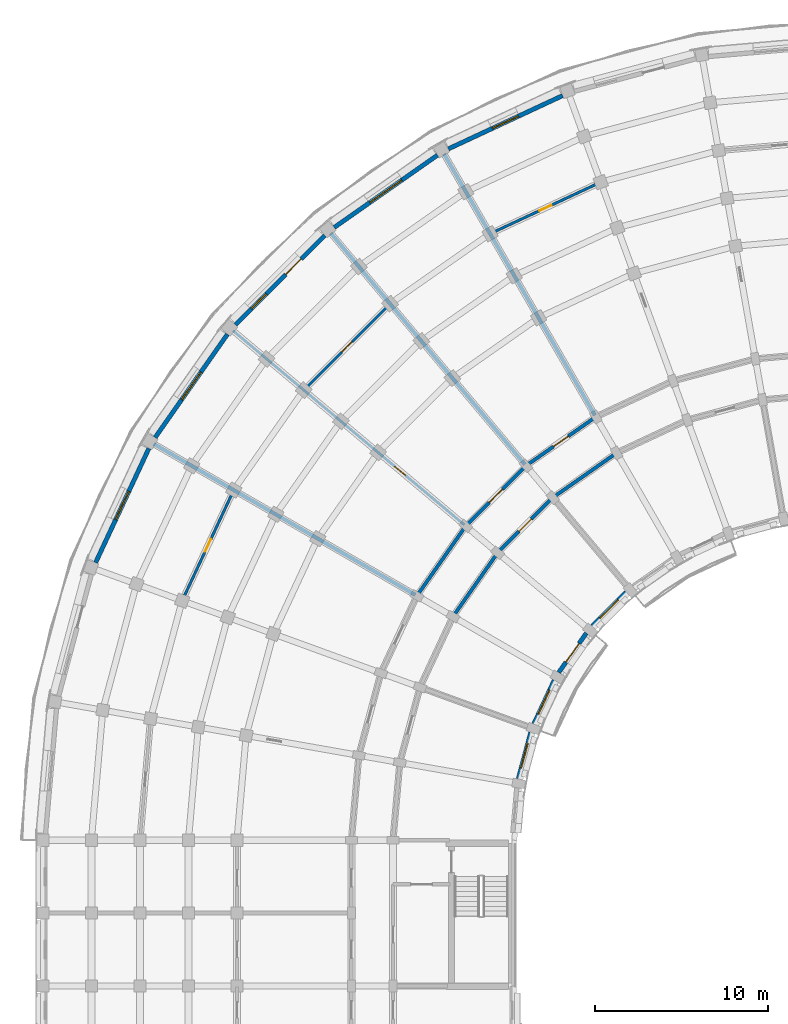
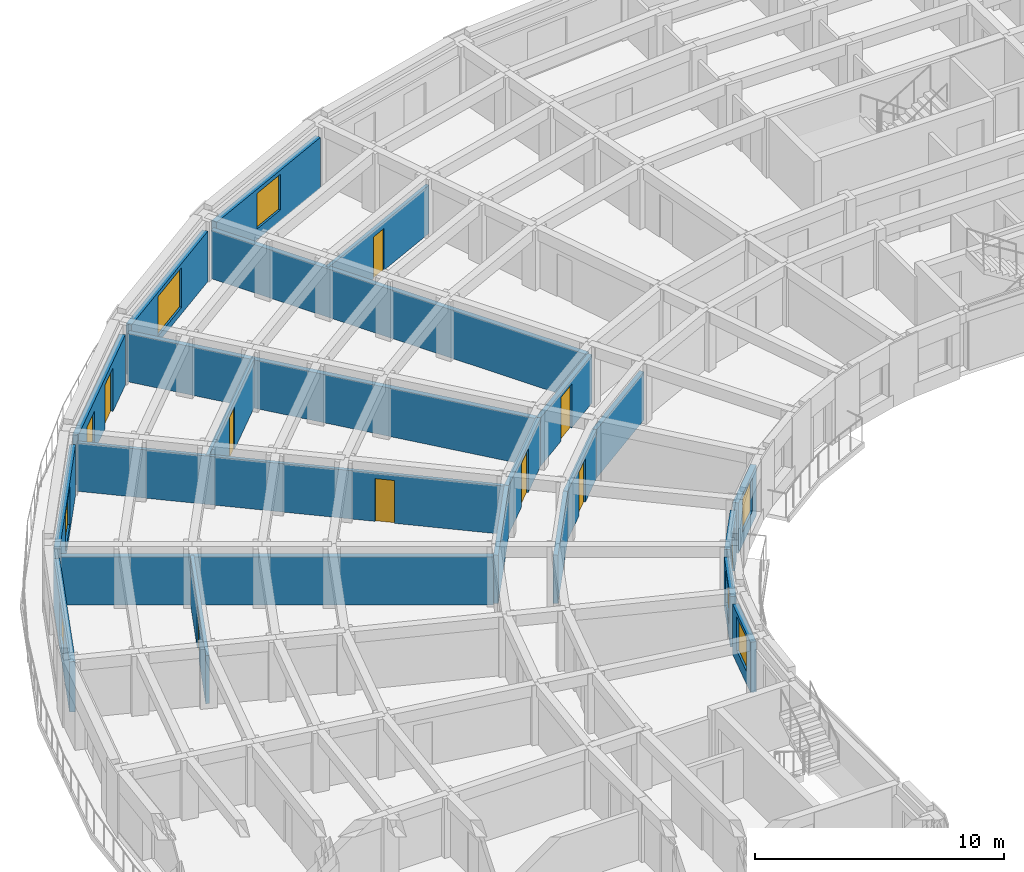
# One storey, part 26 of 57: 22 walls, 9 doors, 8 windows, 17 openings.
"""IFC4 building model written with IfcOpenShell, lengths in metres."""

from ifc_helpers import new_model, si_unit, direction, frame, frame_2d, origin, place, context, subcontext, project, spatial, rectangle, extrude, material, layer, layer_set, type_object, element, fill, save


model = new_model("IFC4")

# Units and contexts
model_context = context("Model", 3, precision=1e-05, world=origin(), true_north=direction((0.0, 1.0)))
body_context = subcontext(model_context, "Body", "Model", "MODEL_VIEW")
ifc_project = project(units=[si_unit("LENGTHUNIT", "METRE"), si_unit("AREAUNIT", "SQUARE_METRE"), si_unit("VOLUMEUNIT", "CUBIC_METRE"), si_unit("PLANEANGLEUNIT", "RADIAN"), si_unit("MASSUNIT", "GRAM", prefix="KILO")], contexts=[model_context])

# Site, building, storey
site_placement = place(None, origin())
site = spatial("IfcSite", under=ifc_project, at=site_placement, CompositionType="ELEMENT")
building_placement = place(site_placement, origin())
building = spatial("IfcBuilding", under=site, at=building_placement, Name="Kiranvali Square Residences", CompositionType="ELEMENT")
storey_placement = place(building_placement, frame((0.0, 0.0, 21.300048828125)))
storey = spatial("IfcBuildingStorey", under=building, at=storey_placement, Name="L06", CompositionType="ELEMENT", Elevation=21.300048828125)

# Wall
ifc_material_1 = material(Name="Autoclaved aerated concrete blockwork masonry", Category="masonry")
ifc_layer_1 = layer(ifc_material_1, 0.199951171875)
ifc_layer_set_1 = layer_set([ifc_layer_1], Name="Autoclaved aerated concrete blockwork masonry")
wall_type_1 = type_object("IfcWallType", Name="WL-COR-200", PredefinedType="STANDARD", material=ifc_layer_set_1)
wall_1_placement = place(storey_placement, frame((35.300048828125, 110.1435546875, 0.0), z_axis=(0.0, 0.0, 1.0), x_axis=(-0.819155404658, -0.573571637217, 0.0)))
element("IfcWall", 1, at=wall_1_placement, inside=storey, type_object=wall_type_1, Name="L06 architectural wall WL-L06-A-CCI-3", PredefinedType="STANDARD", context=body_context, shape_type="SweptSolid", body=[
    extrude(rectangle(XDim=4.497314453125, YDim=0.199951171875, at=frame_2d((2.24853515625, 0.0))), origin(), (0.0, 0.0, 1.0), 2.3720703125),
])

# Wall, opening, door
wall_2_placement = place(storey_placement, frame((34.10009765625, 112.221923828125, 0.0), z_axis=(0.0, 0.0, 1.0), x_axis=(-0.819140911474, -0.573592335331, 0.0)))
wall_2 = element("IfcWall", 2, at=wall_2_placement, inside=storey, type_object=wall_type_1, Name="L06 architectural wall WL-L06-A-CCO-3", PredefinedType="STANDARD", context=body_context, shape_type="SweptSolid", body=[
    extrude(rectangle(XDim=4.915771484375, YDim=0.199951171875, at=frame_2d((2.4580078125, 0.0))), origin(), (0.0, 0.0, 1.0), 2.3720703125),
])
opening_1_placement = place(wall_2_placement, frame((1.937744140625, 0.0, 0.0)))
opening_1 = element("IfcOpeningElement", 3, at=opening_1_placement, cuts=wall_2, Name="Opening FD-APT-60B", PredefinedType="OPENING", context=body_context, shape_type="SweptSolid", body=[
    extrude(rectangle(XDim=1.0400390625, YDim=2.14990234375, at=frame_2d((0.52001953125, 1.074951171875))), frame((0.0, 0.10986328125, 0.0), z_axis=(0.0, -1.0, 0.0), x_axis=(1.0, 0.0, 0.0)), (0.0, 0.0, 1.0), 0.219970703125),
])
ifc_material_2 = material(Name="Fire-rated acoustic hardwood and mineral-core door assembly", Category="wood")
door_type_1 = type_object("IfcDoorType", Name="DR-APT-1040", OperationType="NOTDEFINED", PredefinedType="DOOR", material=ifc_material_2)
door_1_placement = place(opening_1_placement, frame((1.0400390625, 0.0, 0.0), z_axis=(0.0, 0.0, 1.0), x_axis=(-1.0, 0.0, 0.0)))
door_1 = element("IfcDoor", 4, at=door_1_placement, inside=storey, type_object=door_type_1, Name="L06 door DR-L06-0430 (DR-APT-1040)", OperationType="SINGLE_SWING_RIGHT", OverallHeight=2.14990234375, OverallWidth=1.0400390625, PredefinedType="DOOR", context=body_context, shape_type="SweptSolid", body=[
    extrude(rectangle(XDim=1.0400390625, YDim=2.14990234375, at=frame_2d((0.52001953125, 1.074951171875))), frame((0.0, 0.02490234375, 0.0), z_axis=(0.0, -1.0, 0.0), x_axis=(1.0, 0.0, 0.0)), (0.0, 0.0, 1.0), 0.050048828125),
])
fill(opening_1, door_1)

wall_3_placement = place(storey_placement, frame((31.615966796875, 107.56396484375, 0.0), z_axis=(0.0, 0.0, 1.0), x_axis=(-0.707106781187, -0.707106781187, 0.0)))
wall_3 = element("IfcWall", 5, at=wall_3_placement, inside=storey, type_object=wall_type_1, Name="L06 architectural wall WL-L06-A-CCI-4", PredefinedType="STANDARD", context=body_context, shape_type="SweptSolid", body=[
    extrude(rectangle(XDim=4.4970703125, YDim=0.199951171875, at=frame_2d((2.24853515625, 0.0))), origin(), (0.0, 0.0, 1.0), 2.3720703125),
])
opening_2_placement = place(wall_3_placement, frame((1.74853515625, 0.0, 0.0)))
opening_2 = element("IfcOpeningElement", 6, at=opening_2_placement, cuts=wall_3, Name="Opening FD-APT-60", PredefinedType="OPENING", context=body_context, shape_type="SweptSolid", body=[
    extrude(rectangle(XDim=1.0, YDim=2.14990234375, at=frame_2d((0.5, 1.074951171875))), frame((0.0, 0.10986328125, 0.0), z_axis=(0.0, -1.0, 0.0), x_axis=(1.0, 0.0, 0.0)), (0.0, 0.0, 1.0), 0.219970703125),
])
door_type_2 = type_object("IfcDoorType", Name="DR-APT-1000", OperationType="NOTDEFINED", PredefinedType="DOOR", material=ifc_material_2)
door_2_placement = place(opening_2_placement, origin())
door_2 = element("IfcDoor", 7, at=door_2_placement, inside=storey, type_object=door_type_2, Name="L06 door DR-L06-0439 (DR-APT-1000)", OperationType="SINGLE_SWING_LEFT", OverallHeight=2.14990234375, OverallWidth=1.0, PredefinedType="DOOR", context=body_context, shape_type="SweptSolid", body=[
    extrude(rectangle(XDim=1.0, YDim=2.14990234375, at=frame_2d((0.5, 1.074951171875))), frame((0.0, 0.02490234375, 0.0), z_axis=(0.0, -1.0, 0.0), x_axis=(1.0, 0.0, 0.0)), (0.0, 0.0, 1.0), 0.050048828125),
])
fill(opening_2, door_2)

wall_4_placement = place(storey_placement, frame((30.073486328125, 109.40234375, 0.0), z_axis=(0.0, 0.0, 1.0), x_axis=(-0.707106781187, -0.707106781187, 0.0)))
wall_4 = element("IfcWall", 8, at=wall_4_placement, inside=storey, type_object=wall_type_1, Name="L06 architectural wall WL-L06-A-CCO-4", PredefinedType="STANDARD", context=body_context, shape_type="SweptSolid", body=[
    extrude(rectangle(XDim=4.91552734375, YDim=0.199951171875, at=frame_2d((2.457763671875, 0.0))), origin(), (0.0, 0.0, 1.0), 2.3720703125),
])
opening_3_placement = place(wall_4_placement, frame((1.917724609375, 0.0, 0.0)))
opening_3 = element("IfcOpeningElement", 9, at=opening_3_placement, cuts=wall_4, Name="Opening FD-APT-60C", PredefinedType="OPENING", context=body_context, shape_type="SweptSolid", body=[
    extrude(rectangle(XDim=1.080078125, YDim=2.14990234375, at=frame_2d((0.5400390625, 1.074951171875))), frame((0.0, 0.10986328125, 0.0), z_axis=(0.0, -1.0, 0.0), x_axis=(1.0, 0.0, 0.0)), (0.0, 0.0, 1.0), 0.219970703125),
])
door_type_3 = type_object("IfcDoorType", Name="DR-APT-1080", OperationType="NOTDEFINED", PredefinedType="DOOR", material=ifc_material_2)
door_3_placement = place(opening_3_placement, origin())
door_3 = element("IfcDoor", 10, at=door_3_placement, inside=storey, type_object=door_type_3, Name="L06 door DR-L06-0431 (DR-APT-1080)", OperationType="SINGLE_SWING_LEFT", OverallHeight=2.14990234375, OverallWidth=1.080078125, PredefinedType="DOOR", context=body_context, shape_type="SweptSolid", body=[
    extrude(rectangle(XDim=1.080078125, YDim=2.14990234375, at=frame_2d((0.5400390625, 1.074951171875))), frame((0.0, 0.02490234375, 0.0), z_axis=(0.0, -1.0, 0.0), x_axis=(1.0, 0.0, 0.0)), (0.0, 0.0, 1.0), 0.050048828125),
])
fill(opening_3, door_3)

# Walls
wall_5_placement = place(storey_placement, frame((28.43603515625, 104.384033203125, 0.0), z_axis=(0.0, 0.0, 1.0), x_axis=(-0.573571637217, -0.819155404658, 0.0)))
element("IfcWall", 11, at=wall_5_placement, inside=storey, type_object=wall_type_1, Name="L06 architectural wall WL-L06-A-CCI-5", PredefinedType="STANDARD", context=body_context, shape_type="SweptSolid", body=[
    extrude(rectangle(XDim=4.497314453125, YDim=0.199951171875, at=frame_2d((2.24853515625, 0.0))), origin(), (0.0, 0.0, 1.0), 2.3720703125),
])
wall_6_placement = place(storey_placement, frame((26.59765625, 105.926513671875, 0.0), z_axis=(0.0, 0.0, 1.0), x_axis=(-0.573592335331, -0.819140911474, 0.0)))
element("IfcWall", 12, at=wall_6_placement, inside=storey, type_object=wall_type_1, Name="L06 architectural wall WL-L06-A-CCO-5", PredefinedType="STANDARD", context=body_context, shape_type="SweptSolid", body=[
    extrude(rectangle(XDim=4.915771484375, YDim=0.199951171875, at=frame_2d((2.4580078125, 0.0))), origin(), (0.0, 0.0, 1.0), 2.3720703125),
])
ifc_layer_2 = layer(ifc_material_1, 0.219970703125)
ifc_layer_set_2 = layer_set([ifc_layer_2], Name="Autoclaved aerated concrete blockwork masonry")
wall_type_2 = type_object("IfcWallType", Name="WL-DEM-220", PredefinedType="STANDARD", material=ifc_layer_set_2)
for number, where, z_axis, x_axis, name in (
    (13, (34.050048828125, 112.30859375, 0.0), (0.0, 0.0, 1.0), (-0.499997843263, 0.866026648973, 0.0), "L06 architectural wall WL-L06-A-RADO-3"),
    (14, (30.009033203125, 109.47900390625, 0.0), (0.0, 0.0, 1.0), (-0.642784757967, 0.766046835987, 0.0), "L06 architectural wall WL-L06-A-RADO-4"),
    (15, (23.69140625, 101.949951171875, 0.0), (0.0, 0.0, 1.0), (-0.866026648973, 0.499997843263, 0.0), "L06 architectural wall WL-L06-A-RADO-6"),
):
    element("IfcWall", number, at=place(storey_placement, frame(where, z_axis=z_axis, x_axis=x_axis)), inside=storey, type_object=wall_type_2, Name=name, PredefinedType="STANDARD", context=body_context, shape_type="SweptSolid", body=[
        extrude(rectangle(XDim=17.419921875, YDim=0.219970703125, at=frame_2d((8.7099609375, 0.0))), origin(), (0.0, 0.0, 1.0), 2.3720703125),
    ])

# Wall, opening, window
ifc_material_3 = material(Name="Breathable lime-rendered clay brick masonry", Category="masonry")
ifc_layer_3 = layer(ifc_material_3, 0.25)
ifc_layer_set_3 = layer_set([ifc_layer_3], Name="Breathable lime-rendered clay brick masonry")
wall_type_3 = type_object("IfcWallType", Name="WL-EXT-250", PredefinedType="STANDARD", material=ifc_layer_set_3)
wall_7_placement = place(storey_placement, frame((32.17919921875, 130.753662109375, 0.0), z_axis=(0.0, 0.0, 1.0), x_axis=(-0.90630327107, -0.422627946127, 0.0)))
wall_7 = element("IfcWall", 16, at=wall_7_placement, inside=storey, type_object=wall_type_3, Name="L06 exterior wall A-L06-CRV-02", PredefinedType="STANDARD", context=body_context, shape_type="SweptSolid", body=[
    extrude(rectangle(XDim=7.2666015625, YDim=0.25, at=frame_2d((3.63330078125, 0.0))), origin(), (0.0, 0.0, 1.0), 2.471923828125),
])
opening_4_placement = place(wall_7_placement, frame((2.808349609375, 0.0, 0.52197265625)))
opening_4 = element("IfcOpeningElement", 17, at=opening_4_placement, cuts=wall_7, Name="Opening W-13", PredefinedType="OPENING", context=body_context, shape_type="SweptSolid", body=[
    extrude(rectangle(XDim=1.64990234375, YDim=1.75, at=frame_2d((0.824951171875, 0.875))), frame((0.0, 0.135009765625, 0.0), z_axis=(0.0, -1.0, 0.0), x_axis=(1.0, 0.0, 0.0)), (0.0, 0.0, 1.0), 0.27001953125),
])
ifc_material_4 = material(Name="Solar-control low-e double glazing", Category="glass")
window_type_1 = type_object("IfcWindowType", Name="WIN-RES-1650x1750", PartitioningType="DOUBLE_PANEL_VERTICAL", PredefinedType="WINDOW", material=ifc_material_4)
window_1_placement = place(opening_4_placement, origin())
window_1 = element("IfcWindow", 18, at=window_1_placement, inside=storey, type_object=window_type_1, Name="L06 recessed window A-L06-CRV-02", OverallHeight=1.75, OverallWidth=1.64990234375, PartitioningType="DOUBLE_PANEL_VERTICAL", PredefinedType="WINDOW", context=body_context, shape_type="SweptSolid", body=[
    extrude(rectangle(XDim=1.64990234375, YDim=1.75, at=frame_2d((0.824951171875, 0.875))), frame((0.0, 0.030029296875, 0.0), z_axis=(0.0, -1.0, 0.0), x_axis=(1.0, 0.0, 0.0)), (0.0, 0.0, 1.0), 0.06005859375),
])
fill(opening_4, window_1)

wall_8_placement = place(storey_placement, frame((24.9638671875, 127.319091796875, 0.0), z_axis=(0.0, 0.0, 1.0), x_axis=(-0.819159308599, -0.573566061701, 0.0)))
wall_8 = element("IfcWall", 19, at=wall_8_placement, inside=storey, type_object=wall_type_3, Name="L06 exterior wall A-L06-CRV-03", PredefinedType="STANDARD", context=body_context, shape_type="SweptSolid", body=[
    extrude(rectangle(XDim=7.266845703125, YDim=0.25, at=frame_2d((3.63330078125, 0.0))), origin(), (0.0, 0.0, 1.0), 2.471923828125),
])
opening_5_placement = place(wall_8_placement, frame((2.50830078125, 0.0, 0.322021484375)))
opening_5 = element("IfcOpeningElement", 20, at=opening_5_placement, cuts=wall_8, Name="Opening W-11", PredefinedType="OPENING", context=body_context, shape_type="SweptSolid", body=[
    extrude(rectangle(XDim=2.25, YDim=1.949951171875, at=frame_2d((1.125, 0.97509765625))), frame((0.0, 0.135009765625, 0.0), z_axis=(0.0, -1.0, 0.0), x_axis=(1.0, 0.0, 0.0)), (0.0, 0.0, 1.0), 0.27001953125),
])
window_type_2 = type_object("IfcWindowType", Name="WIN-RES-2250x1950", PartitioningType="TRIPLE_PANEL_VERTICAL", PredefinedType="WINDOW", material=ifc_material_4)
window_2_placement = place(opening_5_placement, origin())
window_2 = element("IfcWindow", 21, at=window_2_placement, inside=storey, type_object=window_type_2, Name="L06 recessed window A-L06-CRV-03", OverallHeight=1.949951171875, OverallWidth=2.25, PartitioningType="TRIPLE_PANEL_VERTICAL", PredefinedType="WINDOW", context=body_context, shape_type="SweptSolid", body=[
    extrude(rectangle(XDim=2.25, YDim=1.949951171875, at=frame_2d((1.125, 0.97509765625))), frame((0.0, 0.030029296875, 0.0), z_axis=(0.0, -1.0, 0.0), x_axis=(1.0, 0.0, 0.0)), (0.0, 0.0, 1.0), 0.06005859375),
])
fill(opening_5, window_2)

# Wall, openings, door, window
wall_9_placement = place(storey_placement, frame((18.454345703125, 122.683837890625, 0.0), z_axis=(0.0, 0.0, 1.0), x_axis=(-0.707106781187, -0.707106781187, 0.0)))
wall_9 = element("IfcWall", 22, at=wall_9_placement, inside=storey, type_object=wall_type_3, Name="L06 exterior wall A-L06-CRV-04", PredefinedType="STANDARD", context=body_context, shape_type="SweptSolid", body=[
    extrude(rectangle(XDim=7.2666015625, YDim=0.25, at=frame_2d((3.63330078125, 0.0))), origin(), (0.0, 0.0, 1.0), 2.471923828125),
])
opening_6_placement = place(wall_9_placement, frame((4.765625, 0.0, 0.471923828125)))
opening_6 = element("IfcOpeningElement", 23, at=opening_6_placement, cuts=wall_9, Name="Opening W-06", PredefinedType="OPENING", context=body_context, shape_type="SweptSolid", body=[
    extrude(rectangle(XDim=1.199951171875, YDim=1.5, at=frame_2d((0.60009765625, 0.75))), frame((0.0, 0.135009765625, 0.0), z_axis=(0.0, -1.0, 0.0), x_axis=(1.0, 0.0, 0.0)), (0.0, 0.0, 1.0), 0.27001953125),
])
opening_7_placement = place(wall_9_placement, frame((1.913330078125, 0.0, 0.0)))
opening_7 = element("IfcOpeningElement", 24, at=opening_7_placement, cuts=wall_9, Name="Opening ED-BAL-2", PredefinedType="OPENING", context=body_context, shape_type="SweptSolid", body=[
    extrude(rectangle(XDim=1.260009765625, YDim=2.14990234375, at=frame_2d((0.6298828125, 1.074951171875))), frame((0.0, 0.135009765625, 0.0), z_axis=(0.0, -1.0, 0.0), x_axis=(1.0, 0.0, 0.0)), (0.0, 0.0, 1.0), 0.27001953125),
])
ifc_material_5 = material(Name="Anodised bronze aluminium framing", Category="aluminium")
door_type_4 = type_object("IfcDoorType", Name="DR-BAL-1260", OperationType="NOTDEFINED", PredefinedType="DOOR", material=ifc_material_5)
door_4_placement = place(opening_7_placement, frame((1.260009765625, 0.0, 0.0), z_axis=(0.0, 0.0, 1.0), x_axis=(-1.0, 0.0, 0.0)))
door_4 = element("IfcDoor", 25, at=door_4_placement, inside=storey, type_object=door_type_4, Name="L06 balcony terrace door", OperationType="SINGLE_SWING_RIGHT", OverallHeight=2.14990234375, OverallWidth=1.260009765625, PredefinedType="DOOR", context=body_context, shape_type="SweptSolid", body=[
    extrude(rectangle(XDim=1.260009765625, YDim=2.14990234375, at=frame_2d((0.6298828125, 1.074951171875))), frame((0.0, 0.02490234375, 0.0), z_axis=(0.0, -1.0, 0.0), x_axis=(1.0, 0.0, 0.0)), (0.0, 0.0, 1.0), 0.050048828125),
])
fill(opening_7, door_4)
window_type_3 = type_object("IfcWindowType", Name="WIN-RES-1200x1500", PartitioningType="SINGLE_PANEL", PredefinedType="WINDOW", material=ifc_material_4)
window_3_placement = place(opening_6_placement, origin())
window_3 = element("IfcWindow", 26, at=window_3_placement, inside=storey, type_object=window_type_3, Name="L06 recessed window A-L06-CRV-04", OverallHeight=1.5, OverallWidth=1.199951171875, PartitioningType="SINGLE_PANEL", PredefinedType="WINDOW", context=body_context, shape_type="SweptSolid", body=[
    extrude(rectangle(XDim=1.199951171875, YDim=1.5, at=frame_2d((0.60009765625, 0.75))), frame((0.0, 0.030029296875, 0.0), z_axis=(0.0, -1.0, 0.0), x_axis=(1.0, 0.0, 0.0)), (0.0, 0.0, 1.0), 0.06005859375),
])
fill(opening_6, window_3)

# Wall, opening, window
wall_10_placement = place(storey_placement, frame((12.848876953125, 116.98876953125, 0.0), z_axis=(0.0, 0.0, 1.0), x_axis=(-0.573566061701, -0.819159308599, 0.0)))
wall_10 = element("IfcWall", 27, at=wall_10_placement, inside=storey, type_object=wall_type_3, Name="L06 exterior wall A-L06-CRV-05", PredefinedType="STANDARD", context=body_context, shape_type="SweptSolid", body=[
    extrude(rectangle(XDim=7.266845703125, YDim=0.25, at=frame_2d((3.63330078125, 0.0))), origin(), (0.0, 0.0, 1.0), 2.471923828125),
])
opening_8_placement = place(wall_10_placement, frame((2.658447265625, 0.0, 0.422119140625)))
opening_8 = element("IfcOpeningElement", 28, at=opening_8_placement, cuts=wall_10, Name="Opening W-12", PredefinedType="OPENING", context=body_context, shape_type="SweptSolid", body=[
    extrude(rectangle(XDim=1.949951171875, YDim=1.85009765625, at=frame_2d((0.97509765625, 0.925048828125))), frame((0.0, 0.135009765625, 0.0), z_axis=(0.0, -1.0, 0.0), x_axis=(1.0, 0.0, 0.0)), (0.0, 0.0, 1.0), 0.27001953125),
])
window_type_4 = type_object("IfcWindowType", Name="WIN-RES-1950x1850", PartitioningType="DOUBLE_PANEL_VERTICAL", PredefinedType="WINDOW", material=ifc_material_4)
window_4_placement = place(opening_8_placement, origin())
window_4 = element("IfcWindow", 29, at=window_4_placement, inside=storey, type_object=window_type_4, Name="L06 recessed window A-L06-CRV-05", OverallHeight=1.85009765625, OverallWidth=1.949951171875, PartitioningType="DOUBLE_PANEL_VERTICAL", PredefinedType="WINDOW", context=body_context, shape_type="SweptSolid", body=[
    extrude(rectangle(XDim=1.949951171875, YDim=1.85009765625, at=frame_2d((0.97509765625, 0.925048828125))), frame((0.0, 0.030029296875, 0.0), z_axis=(0.0, -1.0, 0.0), x_axis=(1.0, 0.0, 0.0)), (0.0, 0.0, 1.0), 0.06005859375),
])
fill(opening_8, window_4)

wall_11_placement = place(storey_placement, frame((8.3173828125, 110.406494140625, 0.0), z_axis=(0.0, 0.0, 1.0), x_axis=(-0.422627946127, -0.90630327107, 0.0)))
wall_11 = element("IfcWall", 30, at=wall_11_placement, inside=storey, type_object=wall_type_3, Name="L06 exterior wall A-L06-CRV-06", PredefinedType="STANDARD", context=body_context, shape_type="SweptSolid", body=[
    extrude(rectangle(XDim=7.2666015625, YDim=0.25, at=frame_2d((3.63330078125, 0.0))), origin(), (0.0, 0.0, 1.0), 2.471923828125),
])
opening_9_placement = place(wall_11_placement, frame((2.7333984375, 0.0, 0.6220703125)))
opening_9 = element("IfcOpeningElement", 31, at=opening_9_placement, cuts=wall_11, Name="Opening W-04", PredefinedType="OPENING", context=body_context, shape_type="SweptSolid", body=[
    extrude(rectangle(XDim=1.800048828125, YDim=1.64990234375, at=frame_2d((0.89990234375, 0.824951171875))), frame((0.0, 0.135009765625, 0.0), z_axis=(0.0, -1.0, 0.0), x_axis=(1.0, 0.0, 0.0)), (0.0, 0.0, 1.0), 0.27001953125),
])
window_type_5 = type_object("IfcWindowType", Name="WIN-RES-1800x1650", PartitioningType="DOUBLE_PANEL_VERTICAL", PredefinedType="WINDOW", material=ifc_material_4)
window_5_placement = place(opening_9_placement, origin())
window_5 = element("IfcWindow", 32, at=window_5_placement, inside=storey, type_object=window_type_5, Name="L06 recessed window A-L06-CRV-06", OverallHeight=1.64990234375, OverallWidth=1.800048828125, PartitioningType="DOUBLE_PANEL_VERTICAL", PredefinedType="WINDOW", context=body_context, shape_type="SweptSolid", body=[
    extrude(rectangle(XDim=1.800048828125, YDim=1.64990234375, at=frame_2d((0.89990234375, 0.824951171875))), frame((0.0, 0.030029296875, 0.0), z_axis=(0.0, -1.0, 0.0), x_axis=(1.0, 0.0, 0.0)), (0.0, 0.0, 1.0), 0.06005859375),
])
fill(opening_9, window_5)

wall_12_placement = place(storey_placement, frame((35.847900390625, 102.11083984375, 0.0), z_axis=(0.0, 0.0, 1.0), x_axis=(-0.707106781187, -0.707106781187, 0.0)))
wall_12 = element("IfcWall", 33, at=wall_12_placement, inside=storey, type_object=wall_type_3, Name="L06 exterior wall A-L06-GDN-04", PredefinedType="STANDARD", context=body_context, shape_type="SweptSolid", body=[
    extrude(rectangle(XDim=2.77001953125, YDim=0.25, at=frame_2d((1.385009765625, 0.0))), origin(), (0.0, 0.0, 1.0), 2.471923828125),
])
opening_10_placement = place(wall_12_placement, frame((0.635009765625, 0.0, 0.6220703125)))
opening_10 = element("IfcOpeningElement", 34, at=opening_10_placement, cuts=wall_12, Name="Opening W-05", PredefinedType="OPENING", context=body_context, shape_type="SweptSolid", body=[
    extrude(rectangle(XDim=1.5, YDim=1.64990234375, at=frame_2d((0.75, 0.824951171875))), frame((0.0, 0.135009765625, 0.0), z_axis=(0.0, -1.0, 0.0), x_axis=(1.0, 0.0, 0.0)), (0.0, 0.0, 1.0), 0.27001953125),
])
window_type_6 = type_object("IfcWindowType", Name="WIN-RES-1500x1650", PartitioningType="DOUBLE_PANEL_VERTICAL", PredefinedType="WINDOW", material=ifc_material_4)
window_6_placement = place(opening_10_placement, origin())
window_6 = element("IfcWindow", 35, at=window_6_placement, inside=storey, type_object=window_type_6, Name="L06 recessed window A-L06-GDN-04", OverallHeight=1.64990234375, OverallWidth=1.5, PartitioningType="DOUBLE_PANEL_VERTICAL", PredefinedType="WINDOW", context=body_context, shape_type="SweptSolid", body=[
    extrude(rectangle(XDim=1.5, YDim=1.64990234375, at=frame_2d((0.75, 0.824951171875))), frame((0.0, 0.030029296875, 0.0), z_axis=(0.0, -1.0, 0.0), x_axis=(1.0, 0.0, 0.0)), (0.0, 0.0, 1.0), 0.06005859375),
])
fill(opening_10, window_6)

# Wall, opening, door
wall_13_placement = place(storey_placement, frame((33.550537109375, 99.748291015625, 0.0), z_axis=(0.0, 0.0, 1.0), x_axis=(-0.573633885053, -0.819111815273, 0.0)))
wall_13 = element("IfcWall", 36, at=wall_13_placement, inside=storey, type_object=wall_type_3, Name="L06 exterior wall A-L06-GDN-05", PredefinedType="STANDARD", context=body_context, shape_type="SweptSolid", body=[
    extrude(rectangle(XDim=2.769775390625, YDim=0.25, at=frame_2d((1.384765625, 0.0))), origin(), (0.0, 0.0, 1.0), 2.471923828125),
])
opening_11_placement = place(wall_13_placement, frame((0.724853515625, 0.0, 0.0)))
opening_11 = element("IfcOpeningElement", 37, at=opening_11_placement, cuts=wall_13, Name="Opening ED-BAL-3", PredefinedType="OPENING", context=body_context, shape_type="SweptSolid", body=[
    extrude(rectangle(XDim=1.320068359375, YDim=2.14990234375, at=frame_2d((0.66015625, 1.074951171875))), frame((0.0, 0.135009765625, 0.0), z_axis=(0.0, -1.0, 0.0), x_axis=(1.0, 0.0, 0.0)), (0.0, 0.0, 1.0), 0.27001953125),
])
door_type_5 = type_object("IfcDoorType", Name="DR-BAL-1320", OperationType="NOTDEFINED", PredefinedType="DOOR", material=ifc_material_5)
door_5_placement = place(opening_11_placement, origin())
door_5 = element("IfcDoor", 38, at=door_5_placement, inside=storey, type_object=door_type_5, Name="L06 balcony terrace door", OperationType="SINGLE_SWING_LEFT", OverallHeight=2.14990234375, OverallWidth=1.320068359375, PredefinedType="DOOR", context=body_context, shape_type="SweptSolid", body=[
    extrude(rectangle(XDim=1.320068359375, YDim=2.14990234375, at=frame_2d((0.66015625, 1.074951171875))), frame((0.0, 0.02490234375, 0.0), z_axis=(0.0, -1.0, 0.0), x_axis=(1.0, 0.0, 0.0)), (0.0, 0.0, 1.0), 0.050048828125),
])
fill(opening_11, door_5)

# Wall, opening, window
wall_14_placement = place(storey_placement, frame((31.6982421875, 97.02294921875, 0.0), z_axis=(0.0, 0.0, 1.0), x_axis=(-0.422649007088, -0.906293449611, 0.0)))
wall_14 = element("IfcWall", 39, at=wall_14_placement, inside=storey, type_object=wall_type_3, Name="L06 exterior wall A-L06-GDN-06", PredefinedType="STANDARD", context=body_context, shape_type="SweptSolid", body=[
    extrude(rectangle(XDim=2.769775390625, YDim=0.25, at=frame_2d((1.384765625, 0.0))), origin(), (0.0, 0.0, 1.0), 2.471923828125),
])
opening_12_placement = place(wall_14_placement, frame((0.60986328125, 0.0, 0.672119140625)))
opening_12 = element("IfcOpeningElement", 40, at=opening_12_placement, cuts=wall_14, Name="Opening W-18", PredefinedType="OPENING", context=body_context, shape_type="SweptSolid", body=[
    extrude(rectangle(XDim=1.550048828125, YDim=1.60009765625, at=frame_2d((0.77490234375, 0.800048828125))), frame((0.0, 0.135009765625, 0.0), z_axis=(0.0, -1.0, 0.0), x_axis=(1.0, 0.0, 0.0)), (0.0, 0.0, 1.0), 0.27001953125),
])
window_type_7 = type_object("IfcWindowType", Name="WIN-GDN-1550x1600", PartitioningType="DOUBLE_PANEL_VERTICAL", PredefinedType="WINDOW", material=ifc_material_4)
window_7_placement = place(opening_12_placement, origin())
window_7 = element("IfcWindow", 41, at=window_7_placement, inside=storey, type_object=window_type_7, Name="L06 recessed window A-L06-GDN-06", OverallHeight=1.60009765625, OverallWidth=1.550048828125, PartitioningType="DOUBLE_PANEL_VERTICAL", PredefinedType="WINDOW", context=body_context, shape_type="SweptSolid", body=[
    extrude(rectangle(XDim=1.550048828125, YDim=1.60009765625, at=frame_2d((0.77490234375, 0.800048828125))), frame((0.0, 0.030029296875, 0.0), z_axis=(0.0, -1.0, 0.0), x_axis=(1.0, 0.0, 0.0)), (0.0, 0.0, 1.0), 0.06005859375),
])
fill(opening_12, window_7)

wall_15_placement = place(storey_placement, frame((30.347412109375, 94.017333984375, 0.0), z_axis=(0.0, 0.0, 1.0), x_axis=(-0.25878161084, -0.965935855992, 0.0)))
wall_15 = element("IfcWall", 42, at=wall_15_placement, inside=storey, type_object=wall_type_3, Name="L06 exterior wall A-L06-GDN-07", PredefinedType="STANDARD", context=body_context, shape_type="SweptSolid", body=[
    extrude(rectangle(XDim=2.769775390625, YDim=0.25, at=frame_2d((1.384765625, 0.0))), origin(), (0.0, 0.0, 1.0), 2.471923828125),
])
opening_13_placement = place(wall_15_placement, frame((0.635009765625, 0.0, 0.6220703125)))
opening_13 = element("IfcOpeningElement", 43, at=opening_13_placement, cuts=wall_15, Name="Opening W-05", PredefinedType="OPENING", context=body_context, shape_type="SweptSolid", body=[
    extrude(rectangle(XDim=1.5, YDim=1.64990234375, at=frame_2d((0.75, 0.824951171875))), frame((0.0, 0.135009765625, 0.0), z_axis=(0.0, -1.0, 0.0), x_axis=(1.0, 0.0, 0.0)), (0.0, 0.0, 1.0), 0.27001953125),
])
window_8_placement = place(opening_13_placement, origin())
window_8 = element("IfcWindow", 44, at=window_8_placement, inside=storey, type_object=window_type_6, Name="L06 recessed window A-L06-GDN-07", OverallHeight=1.64990234375, OverallWidth=1.5, PartitioningType="DOUBLE_PANEL_VERTICAL", PredefinedType="WINDOW", context=body_context, shape_type="SweptSolid", body=[
    extrude(rectangle(XDim=1.5, YDim=1.64990234375, at=frame_2d((0.75, 0.824951171875))), frame((0.0, 0.030029296875, 0.0), z_axis=(0.0, -1.0, 0.0), x_axis=(1.0, 0.0, 0.0)), (0.0, 0.0, 1.0), 0.06005859375),
])
fill(opening_13, window_8)

# Wall, opening, door
ifc_material_6 = material(Name="Acoustic gypsum board drylined partition", Category="gypsum")
ifc_layer_4 = layer(ifc_material_6, 0.14990234375)
ifc_layer_set_4 = layer_set([ifc_layer_4], Name="Acoustic gypsum board drylined partition")
wall_type_4 = type_object("IfcWallType", Name="WL-PRT-150", PredefinedType="PARTITIONING", material=ifc_layer_set_4)
wall_16_placement = place(storey_placement, frame((26.52099609375, 105.990966796875, 0.0), z_axis=(0.0, 0.0, 1.0), x_axis=(-0.766046835987, 0.642784757967, 0.0)))
wall_16 = element("IfcWall", 45, at=wall_16_placement, inside=storey, type_object=wall_type_4, Name="L06 architectural wall WL-L06-A-RADO-5", PredefinedType="PARTITIONING", context=body_context, shape_type="SweptSolid", body=[
    extrude(rectangle(XDim=17.419921875, YDim=0.14990234375, at=frame_2d((8.7099609375, 0.0))), origin(), (0.0, 0.0, 1.0), 2.3720703125),
])
opening_14_placement = place(wall_16_placement, frame((4.44970703125, 0.0, 0.0)))
opening_14 = element("IfcOpeningElement", 46, at=opening_14_placement, cuts=wall_16, Name="Opening ID-WET", PredefinedType="OPENING", context=body_context, shape_type="SweptSolid", body=[
    extrude(rectangle(XDim=0.800048828125, YDim=2.10009765625, at=frame_2d((0.39990234375, 1.050048828125))), frame((0.0, 0.0849609375, 0.0), z_axis=(0.0, -1.0, 0.0), x_axis=(1.0, 0.0, 0.0)), (0.0, 0.0, 1.0), 0.169921875),
])
ifc_material_7 = material(Name="Solid seasoned teak hardwood joinery", Category="wood")
door_type_6 = type_object("IfcDoorType", Name="DR-WET-800", OperationType="NOTDEFINED", PredefinedType="DOOR", material=ifc_material_7)
door_6_placement = place(opening_14_placement, origin())
door_6 = element("IfcDoor", 47, at=door_6_placement, inside=storey, type_object=door_type_6, Name="L06 door DR-L06-0425 (DR-WET-800)", OperationType="SINGLE_SWING_LEFT", OverallHeight=2.10009765625, OverallWidth=0.800048828125, PredefinedType="DOOR", context=body_context, shape_type="SweptSolid", body=[
    extrude(rectangle(XDim=0.800048828125, YDim=2.10009765625, at=frame_2d((0.39990234375, 1.050048828125))), frame((0.0, 0.02490234375, 0.0), z_axis=(0.0, -1.0, 0.0), x_axis=(1.0, 0.0, 0.0)), (0.0, 0.0, 1.0), 0.050048828125),
])
fill(opening_14, door_6)

ifc_layer_5 = layer(ifc_material_1, 0.14990234375)
ifc_layer_set_5 = layer_set([ifc_layer_5], Name="Autoclaved aerated concrete blockwork masonry")
wall_type_5 = type_object("IfcWallType", Name="WL-WET-150", PredefinedType="PLUMBINGWALL", material=ifc_layer_set_5)
wall_17_placement = place(storey_placement, frame((34.38232421875, 125.763671875, 0.0), z_axis=(0.0, 0.0, 1.0), x_axis=(-0.906297360311, -0.422640621205, 0.0)))
wall_17 = element("IfcWall", 48, at=wall_17_placement, inside=storey, type_object=wall_type_5, Name="L06 architectural wall WL-L06-A-CWET-2", PredefinedType="PLUMBINGWALL", context=body_context, shape_type="SweptSolid", body=[
    extrude(rectangle(XDim=7.042236328125, YDim=0.14990234375, at=frame_2d((3.52099609375, 0.0))), origin(), (0.0, 0.0, 1.0), 2.3720703125),
])
opening_15_placement = place(wall_17_placement, frame((3.14111328125, 0.0, 0.0)))
opening_15 = element("IfcOpeningElement", 49, at=opening_15_placement, cuts=wall_17, Name="Opening ID-WET0", PredefinedType="OPENING", context=body_context, shape_type="SweptSolid", body=[
    extrude(rectangle(XDim=0.760009765625, YDim=2.050048828125, at=frame_2d((0.3798828125, 1.02490234375))), frame((0.0, 0.0849609375, 0.0), z_axis=(0.0, -1.0, 0.0), x_axis=(1.0, 0.0, 0.0)), (0.0, 0.0, 1.0), 0.169921875),
])
door_type_7 = type_object("IfcDoorType", Name="DR-WET-760", OperationType="NOTDEFINED", PredefinedType="DOOR", material=ifc_material_7)
door_7_placement = place(opening_15_placement, origin())
door_7 = element("IfcDoor", 50, at=door_7_placement, inside=storey, type_object=door_type_7, Name="L06 door DR-L06-0429 (DR-WET-760)", OperationType="SINGLE_SWING_LEFT", OverallHeight=2.050048828125, OverallWidth=0.760009765625, PredefinedType="DOOR", context=body_context, shape_type="SweptSolid", body=[
    extrude(rectangle(XDim=0.760009765625, YDim=2.050048828125, at=frame_2d((0.3798828125, 1.02490234375))), frame((0.0, 0.02490234375, 0.0), z_axis=(0.0, -1.0, 0.0), x_axis=(1.0, 0.0, 0.0)), (0.0, 0.0, 1.0), 0.050048828125),
])
fill(opening_15, door_7)

wall_18_placement = place(storey_placement, frame((22.2314453125, 118.748291015625, 0.0), z_axis=(0.0, 0.0, 1.0), x_axis=(-0.707106781187, -0.707106781187, 0.0)))
wall_18 = element("IfcWall", 51, at=wall_18_placement, inside=storey, type_object=wall_type_5, Name="L06 architectural wall WL-L06-A-CWET-4", PredefinedType="PLUMBINGWALL", context=body_context, shape_type="SweptSolid", body=[
    extrude(rectangle(XDim=7.04248046875, YDim=0.14990234375, at=frame_2d((3.521240234375, 0.0))), origin(), (0.0, 0.0, 1.0), 2.3720703125),
])
opening_16_placement = place(wall_18_placement, frame((3.10107421875, 0.0, 0.0)))
opening_16 = element("IfcOpeningElement", 52, at=opening_16_placement, cuts=wall_18, Name="Opening ID-WET2", PredefinedType="OPENING", context=body_context, shape_type="SweptSolid", body=[
    extrude(rectangle(XDim=0.840087890625, YDim=2.10009765625, at=frame_2d((0.419921875, 1.050048828125))), frame((0.0, 0.0849609375, 0.0), z_axis=(0.0, -1.0, 0.0), x_axis=(1.0, 0.0, 0.0)), (0.0, 0.0, 1.0), 0.169921875),
])
door_type_8 = type_object("IfcDoorType", Name="DR-WET-840", OperationType="NOTDEFINED", PredefinedType="DOOR", material=ifc_material_7)
door_8_placement = place(opening_16_placement, frame((0.840087890625, 0.0, 0.0), z_axis=(0.0, 0.0, 1.0), x_axis=(-1.0, 0.0, 0.0)))
door_8 = element("IfcDoor", 53, at=door_8_placement, inside=storey, type_object=door_type_8, Name="L06 door DR-L06-0432 (DR-WET-840)", OperationType="SINGLE_SWING_RIGHT", OverallHeight=2.10009765625, OverallWidth=0.840087890625, PredefinedType="DOOR", context=body_context, shape_type="SweptSolid", body=[
    extrude(rectangle(XDim=0.840087890625, YDim=2.10009765625, at=frame_2d((0.419921875, 1.050048828125))), frame((0.0, 0.02490234375, 0.0), z_axis=(0.0, -1.0, 0.0), x_axis=(1.0, 0.0, 0.0)), (0.0, 0.0, 1.0), 0.050048828125),
])
fill(opening_16, door_8)

wall_19_placement = place(storey_placement, frame((13.212646484375, 108.0, 0.0), z_axis=(0.0, 0.0, 1.0), x_axis=(-0.422640621205, -0.906297360311, 0.0)))
wall_19 = element("IfcWall", 54, at=wall_19_placement, inside=storey, type_object=wall_type_5, Name="L06 architectural wall WL-L06-A-CWET-6", PredefinedType="PLUMBINGWALL", context=body_context, shape_type="SweptSolid", body=[
    extrude(rectangle(XDim=7.042236328125, YDim=0.14990234375, at=frame_2d((3.52099609375, 0.0))), origin(), (0.0, 0.0, 1.0), 2.3720703125),
])
opening_17_placement = place(wall_19_placement, frame((3.12109375, 0.0, 0.0)))
opening_17 = element("IfcOpeningElement", 55, at=opening_17_placement, cuts=wall_19, Name="Opening ID-WET", PredefinedType="OPENING", context=body_context, shape_type="SweptSolid", body=[
    extrude(rectangle(XDim=0.800048828125, YDim=2.10009765625, at=frame_2d((0.39990234375, 1.050048828125))), frame((0.0, 0.0849609375, 0.0), z_axis=(0.0, -1.0, 0.0), x_axis=(1.0, 0.0, 0.0)), (0.0, 0.0, 1.0), 0.169921875),
])
door_9_placement = place(opening_17_placement, frame((0.800048828125, 0.0, 0.0), z_axis=(0.0, 0.0, 1.0), x_axis=(-1.0, 0.0, 0.0)))
door_9 = element("IfcDoor", 56, at=door_9_placement, inside=storey, type_object=door_type_6, Name="L06 door DR-L06-0434 (DR-WET-800)", OperationType="SINGLE_SWING_RIGHT", OverallHeight=2.10009765625, OverallWidth=0.800048828125, PredefinedType="DOOR", context=body_context, shape_type="SweptSolid", body=[
    extrude(rectangle(XDim=0.800048828125, YDim=2.10009765625, at=frame_2d((0.39990234375, 1.050048828125))), frame((0.0, 0.02490234375, 0.0), z_axis=(0.0, -1.0, 0.0), x_axis=(1.0, 0.0, 0.0)), (0.0, 0.0, 1.0), 0.050048828125),
])
fill(opening_17, door_9)

save(model, "model.ifc")
